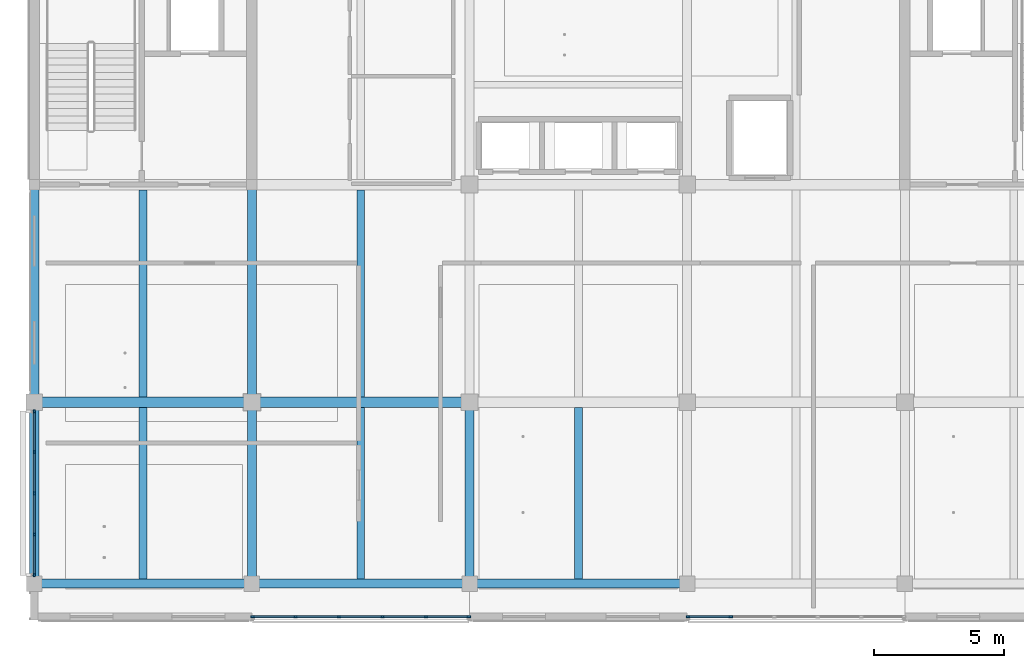
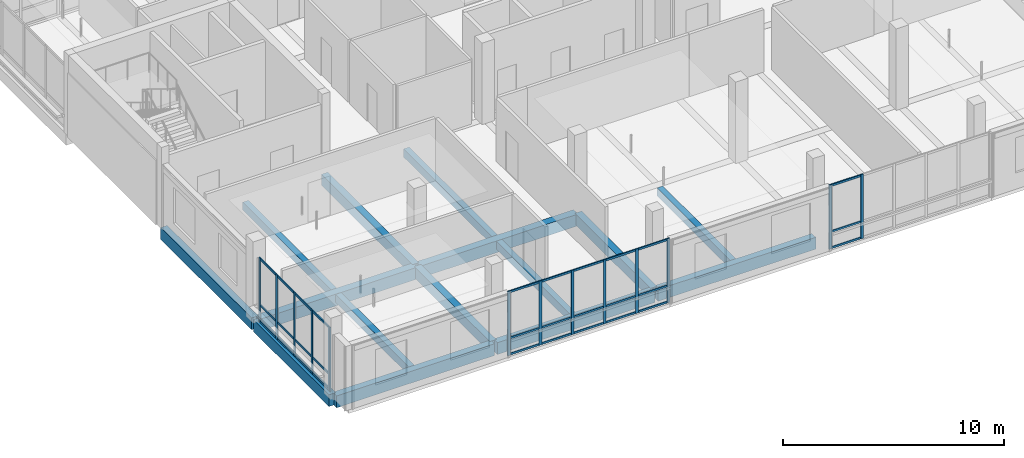
# One storey, part 2 of 30: 43 members, 15 beams, 3 elements without a shape of their own.
"""IFC4 building model written with IfcOpenShell, lengths in metres."""

from ifc_helpers import new_model, si_unit, direction, frame, origin, origin_2d, place, context, subcontext, project, spatial, rectangle, extrude, material, layer, layer_set, material_profile, profile_set, type_object, element, aggregate, save


model = new_model("IFC4")

# Units and contexts
model_context = context("Model", 3, precision=1e-05, world=origin(), true_north=direction((0.0, 1.0)))
body_context = subcontext(model_context, "Body", "Model", "MODEL_VIEW")
ifc_project = project(units=[si_unit("LENGTHUNIT", "METRE"), si_unit("AREAUNIT", "SQUARE_METRE"), si_unit("VOLUMEUNIT", "CUBIC_METRE"), si_unit("PLANEANGLEUNIT", "RADIAN"), si_unit("MASSUNIT", "GRAM", prefix="KILO")], contexts=[model_context])

# Site, building, storey
site_placement = place(None, origin())
site = spatial("IfcSite", under=ifc_project, at=site_placement, CompositionType="ELEMENT")
building_placement = place(site_placement, origin())
building = spatial("IfcBuilding", under=site, at=building_placement, Name="Telukmera Botanical Conservatory", CompositionType="ELEMENT")
storey_placement = place(building_placement, frame((0.0, 0.0, 60.0)))
storey = spatial("IfcBuildingStorey", under=building, at=storey_placement, Name="L13", CompositionType="ELEMENT", Elevation=60.0)

# Beams
ifc_material_1 = material(Name="Concrete C40/50", Category="concrete")
ifc_material_profile_1 = material_profile(ifc_material_1, rectangle(XDim=0.300048828125, YDim=0.449951171875, at=origin_2d()), Name="RC 300x450")
ifc_profile_set_1 = profile_set([ifc_material_profile_1], Name="Concrete C40/50")
beam_type_1 = type_object("IfcBeamType", Name="Beam_B25", PredefinedType="JOIST", material=ifc_profile_set_1)
beam_1_placement = place(storey_placement, frame((63.0, 10.77490234375, -0.22509765625), z_axis=(0.0, 1.0, 0.0), x_axis=(-1.0, 0.0, 0.0)))
element("IfcBeam", 1, at=beam_1_placement, inside=storey, type_object=beam_type_1, Name="Tower Secondary Floor Joist L13", PredefinedType="JOIST", context=body_context, shape_type="SweptSolid", body=[
    extrude(rectangle(XDim=0.300048828125, YDim=0.449951171875, at=origin_2d()), origin(), (0.0, 0.0, 1.0), 6.625),
])
beam_2_placement = place(storey_placement, frame((63.0, 17.800048828125, -0.22509765625), z_axis=(0.0, 1.0, 0.0), x_axis=(-1.0, 0.0, 0.0)))
element("IfcBeam", 2, at=beam_2_placement, inside=storey, type_object=beam_type_1, Name="Tower Secondary Floor Joist L13", PredefinedType="JOIST", context=body_context, shape_type="SweptSolid", body=[
    extrude(rectangle(XDim=0.300048828125, YDim=0.449951171875, at=origin_2d()), origin(), (0.0, 0.0, 1.0), 8.0),
])
beam_3_placement = place(storey_placement, frame((71.39990234375, 10.77490234375, -0.22509765625), z_axis=(0.0, 1.0, 0.0), x_axis=(-1.0, 0.0, 0.0)))
element("IfcBeam", 3, at=beam_3_placement, inside=storey, type_object=beam_type_1, Name="Tower Secondary Floor Joist L13", PredefinedType="JOIST", context=body_context, shape_type="SweptSolid", body=[
    extrude(rectangle(XDim=0.300048828125, YDim=0.449951171875, at=origin_2d()), origin(), (0.0, 0.0, 1.0), 6.625),
])
beam_4_placement = place(storey_placement, frame((71.39990234375, 17.800048828125, -0.22509765625), z_axis=(0.0, 1.0, 0.0), x_axis=(-1.0, 0.0, 0.0)))
element("IfcBeam", 4, at=beam_4_placement, inside=storey, type_object=beam_type_1, Name="Tower Secondary Floor Joist L13", PredefinedType="JOIST", context=body_context, shape_type="SweptSolid", body=[
    extrude(rectangle(XDim=0.300048828125, YDim=0.449951171875, at=origin_2d()), origin(), (0.0, 0.0, 1.0), 8.0),
])
beam_5_placement = place(storey_placement, frame((79.800048828125, 10.77490234375, -0.22509765625), z_axis=(0.0, 1.0, 0.0), x_axis=(-1.0, 0.0, 0.0)))
element("IfcBeam", 5, at=beam_5_placement, inside=storey, type_object=beam_type_1, Name="Tower Secondary Floor Joist L13", PredefinedType="JOIST", context=body_context, shape_type="SweptSolid", body=[
    extrude(rectangle(XDim=0.300048828125, YDim=0.449951171875, at=origin_2d()), origin(), (0.0, 0.0, 1.0), 6.625),
])
ifc_material_profile_2 = material_profile(ifc_material_1, rectangle(XDim=0.39990234375, YDim=0.64990234375, at=origin_2d()), Name="RC 400x650")
ifc_profile_set_2 = profile_set([ifc_material_profile_2], Name="Concrete C40/50")
beam_type_2 = type_object("IfcBeamType", Name="Beam_B8", PredefinedType="BEAM", material=ifc_profile_set_2)
beam_6_placement = place(storey_placement, frame((58.8798828125, 17.60009765625, -0.324951171875), z_axis=(1.0, 0.0, 0.0), x_axis=(0.0, 1.0, 0.0)))
element("IfcBeam", 6, at=beam_6_placement, inside=storey, type_object=beam_type_2, Name="Tower Grid Beam L13", PredefinedType="BEAM", context=body_context, shape_type="SweptSolid", body=[
    extrude(rectangle(XDim=0.39990234375, YDim=0.64990234375, at=origin_2d()), origin(), (0.0, 0.0, 1.0), 8.240234375),
])
beam_7_placement = place(storey_placement, frame((67.280029296875, 17.60009765625, -0.324951171875), z_axis=(1.0, 0.0, 0.0), x_axis=(0.0, 1.0, 0.0)))
element("IfcBeam", 7, at=beam_7_placement, inside=storey, type_object=beam_type_2, Name="Tower Grid Beam L13", PredefinedType="BEAM", context=body_context, shape_type="SweptSolid", body=[
    extrude(rectangle(XDim=0.39990234375, YDim=0.64990234375, at=origin_2d()), origin(), (0.0, 0.0, 1.0), 8.239990234375),
])
ifc_material_profile_3 = material_profile(ifc_material_1, rectangle(XDim=0.35009765625, YDim=0.60009765625, at=origin_2d()), Name="RC 350x600")
ifc_profile_set_3 = profile_set([ifc_material_profile_3], Name="Concrete C40/50")
beam_type_3 = type_object("IfcBeamType", Name="Beam_B9", PredefinedType="BEAM", material=ifc_profile_set_3)
beam_8_placement = place(storey_placement, frame((67.199951171875, 10.679931640625, -0.300048828125), z_axis=(0.0, 1.0, 0.0), x_axis=(-1.0, 0.0, 0.0)))
element("IfcBeam", 8, at=beam_8_placement, inside=storey, type_object=beam_type_3, Name="Tower Transverse Beam L13", PredefinedType="BEAM", context=body_context, shape_type="SweptSolid", body=[
    extrude(rectangle(XDim=0.35009765625, YDim=0.60009765625, at=origin_2d()), origin(), (0.0, 0.0, 1.0), 6.840087890625),
])
beam_9_placement = place(storey_placement, frame((67.199951171875, 17.679931640625, -0.300048828125), z_axis=(0.0, 1.0, 0.0), x_axis=(-1.0, 0.0, 0.0)))
element("IfcBeam", 9, at=beam_9_placement, inside=storey, type_object=beam_type_3, Name="Tower Transverse Beam L13", PredefinedType="BEAM", context=body_context, shape_type="SweptSolid", body=[
    extrude(rectangle(XDim=0.35009765625, YDim=0.60009765625, at=origin_2d()), origin(), (0.0, 0.0, 1.0), 8.239990234375),
])
beam_10_placement = place(storey_placement, frame((75.60009765625, 10.679931640625, -0.300048828125), z_axis=(0.0, 1.0, 0.0), x_axis=(-1.0, 0.0, 0.0)))
element("IfcBeam", 10, at=beam_10_placement, inside=storey, type_object=beam_type_3, Name="Tower Transverse Beam L13", PredefinedType="BEAM", context=body_context, shape_type="SweptSolid", body=[
    extrude(rectangle(XDim=0.35009765625, YDim=0.60009765625, at=origin_2d()), origin(), (0.0, 0.0, 1.0), 6.840087890625),
])
ifc_material_2 = material(Name="Precast concrete C40/50", Category="concrete")
ifc_material_profile_4 = material_profile(ifc_material_2, rectangle(XDim=0.35009765625, YDim=0.64990234375, at=origin_2d()), Name="PC 350x650")
ifc_profile_set_4 = profile_set([ifc_material_profile_4], Name="Precast concrete C40/50")
beam_type_4 = type_object("IfcBeamType", Name="Beam_SP3", PredefinedType="SPANDREL", material=ifc_profile_set_4)
beam_11_placement = place(storey_placement, frame((58.8798828125, 10.60009765625, -0.324951171875), z_axis=(1.0, 0.0, 0.0), x_axis=(0.0, 1.0, 0.0)))
element("IfcBeam", 11, at=beam_11_placement, inside=storey, type_object=beam_type_4, Name="Tower Grid Beam L13", PredefinedType="SPANDREL", context=body_context, shape_type="SweptSolid", body=[
    extrude(rectangle(XDim=0.35009765625, YDim=0.64990234375, at=origin_2d()), origin(), (0.0, 0.0, 1.0), 8.240234375),
])
for number, where, z_axis, x_axis, name in (
    (12, (67.280029296875, 10.60009765625, -0.324951171875), (1.0, 0.0, 0.0), (0.0, 1.0, 0.0), "Tower Grid Beam L13"),
    (13, (75.679931640625, 10.60009765625, -0.324951171875), (1.0, 0.0, 0.0), (0.0, 1.0, 0.0), "Tower Grid Beam L13"),
):
    element("IfcBeam", number, at=place(storey_placement, frame(where, z_axis=z_axis, x_axis=x_axis)), inside=storey, type_object=beam_type_4, Name=name, PredefinedType="SPANDREL", context=body_context, shape_type="SweptSolid", body=[
        extrude(rectangle(XDim=0.35009765625, YDim=0.64990234375, at=origin_2d()), origin(), (0.0, 0.0, 1.0), 8.239990234375),
    ])
beam_12_placement = place(storey_placement, frame((58.800048828125, 10.679931640625, -0.324951171875), z_axis=(0.0, 1.0, 0.0), x_axis=(-1.0, 0.0, 0.0)))
element("IfcBeam", 14, at=beam_12_placement, inside=storey, type_object=beam_type_4, Name="Tower Transverse Beam L13", PredefinedType="SPANDREL", context=body_context, shape_type="SweptSolid", body=[
    extrude(rectangle(XDim=0.35009765625, YDim=0.64990234375, at=origin_2d()), origin(), (0.0, 0.0, 1.0), 6.840087890625),
])
beam_13_placement = place(storey_placement, frame((58.800048828125, 17.679931640625, -0.324951171875), z_axis=(0.0, 1.0, 0.0), x_axis=(-1.0, 0.0, 0.0)))
element("IfcBeam", 15, at=beam_13_placement, inside=storey, type_object=beam_type_4, Name="Tower Transverse Beam L13", PredefinedType="SPANDREL", context=body_context, shape_type="SweptSolid", body=[
    extrude(rectangle(XDim=0.35009765625, YDim=0.64990234375, at=origin_2d()), origin(), (0.0, 0.0, 1.0), 8.239990234375),
])

# Curtain wall, members
ifc_material_3 = material(Name="Anodised aluminium 6063-T6", Category="aluminium")
ifc_layer = layer(ifc_material_3, 0.179931640625)
ifc_layer_set = layer_set([ifc_layer], Name="Anodised aluminium 6063-T6")
curtain_wall_type = type_object("IfcCurtainWallType", Name="Tower Research Laboratory Unitised Curtain Wall", PredefinedType="USERDEFINED", material=ifc_layer_set)
curtain_wall_1_placement = place(storey_placement, origin())
curtain_wall_1 = element("IfcCurtainWall", 16, at=curtain_wall_1_placement, inside=storey, type_object=curtain_wall_type, Name="Unitised Curtain Wall CW15 V4:L13:S2", ObjectType="UNITISED CURTAIN WALL", PredefinedType="USERDEFINED")
ifc_material_profile_5 = material_profile(ifc_material_3, rectangle(XDim=0.06005859375, YDim=0.139892578125, at=origin_2d()), Name="ALU MULL 60x140")
ifc_profile_set_5 = profile_set([ifc_material_profile_5], Name="Anodised aluminium 6063-T6")
member_type_1 = type_object("IfcMemberType", Name="Curtain Wall Extruded Mullion 60x140", PredefinedType="MULLION", material=ifc_profile_set_5)
member_1_placement = place(storey_placement, frame((67.23193359375, 9.320068359375, 0.0), z_axis=(0.0, 0.0, 1.0), x_axis=(0.0, 1.0, 0.0)))
member_1 = element("IfcMember", 17, at=member_1_placement, type_object=member_type_1, Name="CW15 mullion 1", PredefinedType="MULLION", context=body_context, shape_type="SweptSolid", body=[
    extrude(rectangle(XDim=0.06005859375, YDim=0.139892578125, at=origin_2d()), origin(), (0.0, 0.0, 1.0), 3.550048828125),
])
member_2_placement = place(storey_placement, frame((68.881103515625, 9.320068359375, 0.0), z_axis=(0.0, 0.0, 1.0), x_axis=(0.0, 1.0, 0.0)))
member_2 = element("IfcMember", 18, at=member_2_placement, type_object=member_type_1, Name="CW15 mullion 2", PredefinedType="MULLION", context=body_context, shape_type="SweptSolid", body=[
    extrude(rectangle(XDim=0.06005859375, YDim=0.139892578125, at=origin_2d()), origin(), (0.0, 0.0, 1.0), 3.550048828125),
])
member_3_placement = place(storey_placement, frame((70.560302734375, 9.320068359375, 0.0), z_axis=(0.0, 0.0, 1.0), x_axis=(0.0, 1.0, 0.0)))
member_3 = element("IfcMember", 19, at=member_3_placement, type_object=member_type_1, Name="CW15 mullion 3", PredefinedType="MULLION", context=body_context, shape_type="SweptSolid", body=[
    extrude(rectangle(XDim=0.06005859375, YDim=0.139892578125, at=origin_2d()), origin(), (0.0, 0.0, 1.0), 3.550048828125),
])
member_4_placement = place(storey_placement, frame((72.239501953125, 9.320068359375, 0.0), z_axis=(0.0, 0.0, 1.0), x_axis=(0.0, 1.0, 0.0)))
member_4 = element("IfcMember", 20, at=member_4_placement, type_object=member_type_1, Name="CW15 mullion 4", PredefinedType="MULLION", context=body_context, shape_type="SweptSolid", body=[
    extrude(rectangle(XDim=0.06005859375, YDim=0.139892578125, at=origin_2d()), origin(), (0.0, 0.0, 1.0), 3.550048828125),
])
member_5_placement = place(storey_placement, frame((73.918701171875, 9.320068359375, 0.0), z_axis=(0.0, 0.0, 1.0), x_axis=(0.0, 1.0, 0.0)))
member_5 = element("IfcMember", 21, at=member_5_placement, type_object=member_type_1, Name="CW15 mullion 5", PredefinedType="MULLION", context=body_context, shape_type="SweptSolid", body=[
    extrude(rectangle(XDim=0.06005859375, YDim=0.139892578125, at=origin_2d()), origin(), (0.0, 0.0, 1.0), 3.550048828125),
])
member_6_placement = place(storey_placement, frame((75.568115234375, 9.320068359375, 0.0), z_axis=(0.0, 0.0, 1.0), x_axis=(0.0, 1.0, 0.0)))
member_6 = element("IfcMember", 22, at=member_6_placement, type_object=member_type_1, Name="CW15 mullion 6", PredefinedType="MULLION", context=body_context, shape_type="SweptSolid", body=[
    extrude(rectangle(XDim=0.06005859375, YDim=0.139892578125, at=origin_2d()), origin(), (0.0, 0.0, 1.0), 3.550048828125),
])

curtain_wall_2_placement = place(storey_placement, origin())
curtain_wall_2 = element("IfcCurtainWall", 23, at=curtain_wall_2_placement, inside=storey, type_object=curtain_wall_type, Name="Unitised Curtain Wall CW15 V4:L13:S4", ObjectType="UNITISED CURTAIN WALL", PredefinedType="USERDEFINED")
member_7_placement = place(storey_placement, frame((84.031982421875, 9.320068359375, 0.0), z_axis=(0.0, 0.0, 1.0), x_axis=(0.0, 1.0, 0.0)))
member_7 = element("IfcMember", 24, at=member_7_placement, type_object=member_type_1, Name="CW15 mullion 1", PredefinedType="MULLION", context=body_context, shape_type="SweptSolid", body=[
    extrude(rectangle(XDim=0.06005859375, YDim=0.139892578125, at=origin_2d()), origin(), (0.0, 0.0, 1.0), 3.550048828125),
])
member_8_placement = place(storey_placement, frame((85.68115234375, 9.320068359375, 0.0), z_axis=(0.0, 0.0, 1.0), x_axis=(0.0, 1.0, 0.0)))
member_8 = element("IfcMember", 25, at=member_8_placement, type_object=member_type_1, Name="CW15 mullion 2", PredefinedType="MULLION", context=body_context, shape_type="SweptSolid", body=[
    extrude(rectangle(XDim=0.06005859375, YDim=0.139892578125, at=origin_2d()), origin(), (0.0, 0.0, 1.0), 3.550048828125),
])

curtain_wall_3_placement = place(storey_placement, origin())
curtain_wall_3 = element("IfcCurtainWall", 26, at=curtain_wall_3_placement, inside=storey, type_object=curtain_wall_type, Name="Unitised Curtain Wall CW15 V4:L13:W1", ObjectType="UNITISED CURTAIN WALL", PredefinedType="USERDEFINED")
member_9_placement = place(storey_placement, frame((58.800048828125, 10.931884765625, 0.0), z_axis=(0.0, 0.0, 1.0), x_axis=(-1.0, 0.0, 0.0)))
member_9 = element("IfcMember", 27, at=member_9_placement, type_object=member_type_1, Name="CW15 mullion 1", PredefinedType="MULLION", context=body_context, shape_type="SweptSolid", body=[
    extrude(rectangle(XDim=0.06005859375, YDim=0.139892578125, at=origin_2d()), origin(), (0.0, 0.0, 1.0), 3.550048828125),
])
member_10_placement = place(storey_placement, frame((58.800048828125, 12.49462890625, 0.0), z_axis=(0.0, 0.0, 1.0), x_axis=(-1.0, 0.0, 0.0)))
member_10 = element("IfcMember", 28, at=member_10_placement, type_object=member_type_1, Name="CW15 mullion 2", PredefinedType="MULLION", context=body_context, shape_type="SweptSolid", body=[
    extrude(rectangle(XDim=0.06005859375, YDim=0.139892578125, at=origin_2d()), origin(), (0.0, 0.0, 1.0), 3.550048828125),
])
member_11_placement = place(storey_placement, frame((58.800048828125, 14.08740234375, 0.0), z_axis=(0.0, 0.0, 1.0), x_axis=(-1.0, 0.0, 0.0)))
member_11 = element("IfcMember", 29, at=member_11_placement, type_object=member_type_1, Name="CW15 mullion 3", PredefinedType="MULLION", context=body_context, shape_type="SweptSolid", body=[
    extrude(rectangle(XDim=0.06005859375, YDim=0.139892578125, at=origin_2d()), origin(), (0.0, 0.0, 1.0), 3.550048828125),
])
member_12_placement = place(storey_placement, frame((58.800048828125, 15.68017578125, 0.0), z_axis=(0.0, 0.0, 1.0), x_axis=(-1.0, 0.0, 0.0)))
member_12 = element("IfcMember", 30, at=member_12_placement, type_object=member_type_1, Name="CW15 mullion 4", PredefinedType="MULLION", context=body_context, shape_type="SweptSolid", body=[
    extrude(rectangle(XDim=0.06005859375, YDim=0.139892578125, at=origin_2d()), origin(), (0.0, 0.0, 1.0), 3.550048828125),
])
member_13_placement = place(storey_placement, frame((58.800048828125, 17.242919921875, 0.0), z_axis=(0.0, 0.0, 1.0), x_axis=(-1.0, 0.0, 0.0)))
member_13 = element("IfcMember", 31, at=member_13_placement, type_object=member_type_1, Name="CW15 mullion 5", PredefinedType="MULLION", context=body_context, shape_type="SweptSolid", body=[
    extrude(rectangle(XDim=0.06005859375, YDim=0.139892578125, at=origin_2d()), origin(), (0.0, 0.0, 1.0), 3.550048828125),
])

# Member
ifc_material_profile_6 = material_profile(ifc_material_3, rectangle(XDim=0.06005859375, YDim=0.110107421875, at=origin_2d()), Name="ALU TRAN 60x110")
ifc_profile_set_6 = profile_set([ifc_material_profile_6], Name="Anodised aluminium 6063-T6")
member_type_2 = type_object("IfcMemberType", Name="Curtain Wall Extruded Transom 60x110", PredefinedType="USERDEFINED", material=ifc_profile_set_6)
member_14_placement = place(storey_placement, frame((67.261962890625, 9.320068359375, 0.054931640625), z_axis=(1.0, 0.0, 0.0), x_axis=(0.0, 1.0, 0.0)))
member_14 = element("IfcMember", 32, at=member_14_placement, type_object=member_type_2, Name="CW15 transom 1.1", ObjectType="TRANSOM", PredefinedType="USERDEFINED", context=body_context, shape_type="SweptSolid", body=[
    extrude(rectangle(XDim=0.06005859375, YDim=0.110107421875, at=origin_2d()), origin(), (0.0, 0.0, 1.0), 1.58935546875),
])

member_15_placement = place(storey_placement, frame((67.261962890625, 9.320068359375, 0.949951171875), z_axis=(1.0, 0.0, 0.0), x_axis=(0.0, 1.0, 0.0)))
member_15 = element("IfcMember", 33, at=member_15_placement, type_object=member_type_2, Name="CW15 transom 1.2", ObjectType="TRANSOM", PredefinedType="USERDEFINED", context=body_context, shape_type="SweptSolid", body=[
    extrude(rectangle(XDim=0.06005859375, YDim=0.110107421875, at=origin_2d()), origin(), (0.0, 0.0, 1.0), 1.58935546875),
])

member_16_placement = place(storey_placement, frame((67.261962890625, 9.320068359375, 3.4951171875), z_axis=(1.0, 0.0, 0.0), x_axis=(0.0, 1.0, 0.0)))
member_16 = element("IfcMember", 34, at=member_16_placement, type_object=member_type_2, Name="CW15 transom 1.3", ObjectType="TRANSOM", PredefinedType="USERDEFINED", context=body_context, shape_type="SweptSolid", body=[
    extrude(rectangle(XDim=0.06005859375, YDim=0.110107421875, at=origin_2d()), origin(), (0.0, 0.0, 1.0), 1.58935546875),
])

member_17_placement = place(storey_placement, frame((68.9111328125, 9.320068359375, 0.054931640625), z_axis=(1.0, 0.0, 0.0), x_axis=(0.0, 1.0, 0.0)))
member_17 = element("IfcMember", 35, at=member_17_placement, type_object=member_type_2, Name="CW15 transom 2.1", ObjectType="TRANSOM", PredefinedType="USERDEFINED", context=body_context, shape_type="SweptSolid", body=[
    extrude(rectangle(XDim=0.06005859375, YDim=0.110107421875, at=origin_2d()), origin(), (0.0, 0.0, 1.0), 1.619384765625),
])

member_18_placement = place(storey_placement, frame((68.9111328125, 9.320068359375, 0.949951171875), z_axis=(1.0, 0.0, 0.0), x_axis=(0.0, 1.0, 0.0)))
member_18 = element("IfcMember", 36, at=member_18_placement, type_object=member_type_2, Name="CW15 transom 2.2", ObjectType="TRANSOM", PredefinedType="USERDEFINED", context=body_context, shape_type="SweptSolid", body=[
    extrude(rectangle(XDim=0.06005859375, YDim=0.110107421875, at=origin_2d()), origin(), (0.0, 0.0, 1.0), 1.619384765625),
])

member_19_placement = place(storey_placement, frame((68.9111328125, 9.320068359375, 3.4951171875), z_axis=(1.0, 0.0, 0.0), x_axis=(0.0, 1.0, 0.0)))
member_19 = element("IfcMember", 37, at=member_19_placement, type_object=member_type_2, Name="CW15 transom 2.3", ObjectType="TRANSOM", PredefinedType="USERDEFINED", context=body_context, shape_type="SweptSolid", body=[
    extrude(rectangle(XDim=0.06005859375, YDim=0.110107421875, at=origin_2d()), origin(), (0.0, 0.0, 1.0), 1.619384765625),
])

member_20_placement = place(storey_placement, frame((70.59033203125, 9.320068359375, 0.054931640625), z_axis=(1.0, 0.0, 0.0), x_axis=(0.0, 1.0, 0.0)))
member_20 = element("IfcMember", 38, at=member_20_placement, type_object=member_type_2, Name="CW15 transom 3.1", ObjectType="TRANSOM", PredefinedType="USERDEFINED", context=body_context, shape_type="SweptSolid", body=[
    extrude(rectangle(XDim=0.06005859375, YDim=0.110107421875, at=origin_2d()), origin(), (0.0, 0.0, 1.0), 1.619384765625),
])

member_21_placement = place(storey_placement, frame((70.59033203125, 9.320068359375, 0.949951171875), z_axis=(1.0, 0.0, 0.0), x_axis=(0.0, 1.0, 0.0)))
member_21 = element("IfcMember", 39, at=member_21_placement, type_object=member_type_2, Name="CW15 transom 3.2", ObjectType="TRANSOM", PredefinedType="USERDEFINED", context=body_context, shape_type="SweptSolid", body=[
    extrude(rectangle(XDim=0.06005859375, YDim=0.110107421875, at=origin_2d()), origin(), (0.0, 0.0, 1.0), 1.619384765625),
])

member_22_placement = place(storey_placement, frame((70.59033203125, 9.320068359375, 3.4951171875), z_axis=(1.0, 0.0, 0.0), x_axis=(0.0, 1.0, 0.0)))
member_22 = element("IfcMember", 40, at=member_22_placement, type_object=member_type_2, Name="CW15 transom 3.3", ObjectType="TRANSOM", PredefinedType="USERDEFINED", context=body_context, shape_type="SweptSolid", body=[
    extrude(rectangle(XDim=0.06005859375, YDim=0.110107421875, at=origin_2d()), origin(), (0.0, 0.0, 1.0), 1.619384765625),
])

member_23_placement = place(storey_placement, frame((72.26953125, 9.320068359375, 0.054931640625), z_axis=(1.0, 0.0, 0.0), x_axis=(0.0, 1.0, 0.0)))
member_23 = element("IfcMember", 41, at=member_23_placement, type_object=member_type_2, Name="CW15 transom 4.1", ObjectType="TRANSOM", PredefinedType="USERDEFINED", context=body_context, shape_type="SweptSolid", body=[
    extrude(rectangle(XDim=0.06005859375, YDim=0.110107421875, at=origin_2d()), origin(), (0.0, 0.0, 1.0), 1.619384765625),
])

member_24_placement = place(storey_placement, frame((72.26953125, 9.320068359375, 0.949951171875), z_axis=(1.0, 0.0, 0.0), x_axis=(0.0, 1.0, 0.0)))
member_24 = element("IfcMember", 42, at=member_24_placement, type_object=member_type_2, Name="CW15 transom 4.2", ObjectType="TRANSOM", PredefinedType="USERDEFINED", context=body_context, shape_type="SweptSolid", body=[
    extrude(rectangle(XDim=0.06005859375, YDim=0.110107421875, at=origin_2d()), origin(), (0.0, 0.0, 1.0), 1.619384765625),
])

member_25_placement = place(storey_placement, frame((72.26953125, 9.320068359375, 3.4951171875), z_axis=(1.0, 0.0, 0.0), x_axis=(0.0, 1.0, 0.0)))
member_25 = element("IfcMember", 43, at=member_25_placement, type_object=member_type_2, Name="CW15 transom 4.3", ObjectType="TRANSOM", PredefinedType="USERDEFINED", context=body_context, shape_type="SweptSolid", body=[
    extrude(rectangle(XDim=0.06005859375, YDim=0.110107421875, at=origin_2d()), origin(), (0.0, 0.0, 1.0), 1.619384765625),
])

member_26_placement = place(storey_placement, frame((73.94873046875, 9.320068359375, 0.054931640625), z_axis=(1.0, 0.0, 0.0), x_axis=(0.0, 1.0, 0.0)))
member_26 = element("IfcMember", 44, at=member_26_placement, type_object=member_type_2, Name="CW15 transom 5.1", ObjectType="TRANSOM", PredefinedType="USERDEFINED", context=body_context, shape_type="SweptSolid", body=[
    extrude(rectangle(XDim=0.06005859375, YDim=0.110107421875, at=origin_2d()), origin(), (0.0, 0.0, 1.0), 1.58935546875),
])

member_27_placement = place(storey_placement, frame((73.94873046875, 9.320068359375, 0.949951171875), z_axis=(1.0, 0.0, 0.0), x_axis=(0.0, 1.0, 0.0)))
member_27 = element("IfcMember", 45, at=member_27_placement, type_object=member_type_2, Name="CW15 transom 5.2", ObjectType="TRANSOM", PredefinedType="USERDEFINED", context=body_context, shape_type="SweptSolid", body=[
    extrude(rectangle(XDim=0.06005859375, YDim=0.110107421875, at=origin_2d()), origin(), (0.0, 0.0, 1.0), 1.58935546875),
])

member_28_placement = place(storey_placement, frame((73.94873046875, 9.320068359375, 3.4951171875), z_axis=(1.0, 0.0, 0.0), x_axis=(0.0, 1.0, 0.0)))
member_28 = element("IfcMember", 46, at=member_28_placement, type_object=member_type_2, Name="CW15 transom 5.3", ObjectType="TRANSOM", PredefinedType="USERDEFINED", context=body_context, shape_type="SweptSolid", body=[
    extrude(rectangle(XDim=0.06005859375, YDim=0.110107421875, at=origin_2d()), origin(), (0.0, 0.0, 1.0), 1.58935546875),
])

aggregate(curtain_wall_1, [member_1, member_2, member_3, member_4, member_5, member_6, member_14, member_15, member_16, member_17, member_18, member_19, member_20, member_21, member_22, member_23, member_24, member_25, member_26, member_27, member_28])

member_29_placement = place(storey_placement, frame((84.06201171875, 9.320068359375, 0.054931640625), z_axis=(1.0, 0.0, 0.0), x_axis=(0.0, 1.0, 0.0)))
member_29 = element("IfcMember", 47, at=member_29_placement, type_object=member_type_2, Name="CW15 transom 1.1", ObjectType="TRANSOM", PredefinedType="USERDEFINED", context=body_context, shape_type="SweptSolid", body=[
    extrude(rectangle(XDim=0.06005859375, YDim=0.110107421875, at=origin_2d()), origin(), (0.0, 0.0, 1.0), 1.589111328125),
])

member_30_placement = place(storey_placement, frame((84.06201171875, 9.320068359375, 0.949951171875), z_axis=(1.0, 0.0, 0.0), x_axis=(0.0, 1.0, 0.0)))
member_30 = element("IfcMember", 48, at=member_30_placement, type_object=member_type_2, Name="CW15 transom 1.2", ObjectType="TRANSOM", PredefinedType="USERDEFINED", context=body_context, shape_type="SweptSolid", body=[
    extrude(rectangle(XDim=0.06005859375, YDim=0.110107421875, at=origin_2d()), origin(), (0.0, 0.0, 1.0), 1.589111328125),
])

member_31_placement = place(storey_placement, frame((84.06201171875, 9.320068359375, 3.4951171875), z_axis=(1.0, 0.0, 0.0), x_axis=(0.0, 1.0, 0.0)))
member_31 = element("IfcMember", 49, at=member_31_placement, type_object=member_type_2, Name="CW15 transom 1.3", ObjectType="TRANSOM", PredefinedType="USERDEFINED", context=body_context, shape_type="SweptSolid", body=[
    extrude(rectangle(XDim=0.06005859375, YDim=0.110107421875, at=origin_2d()), origin(), (0.0, 0.0, 1.0), 1.589111328125),
])

aggregate(curtain_wall_2, [member_7, member_8, member_29, member_30, member_31])

member_32_placement = place(storey_placement, frame((58.800048828125, 10.9619140625, 0.054931640625), z_axis=(0.0, 1.0, 0.0), x_axis=(-1.0, 0.0, 0.0)))
member_32 = element("IfcMember", 50, at=member_32_placement, type_object=member_type_2, Name="CW15 transom 1.1", ObjectType="TRANSOM", PredefinedType="USERDEFINED", context=body_context, shape_type="SweptSolid", body=[
    extrude(rectangle(XDim=0.06005859375, YDim=0.110107421875, at=origin_2d()), origin(), (0.0, 0.0, 1.0), 1.5029296875),
])

member_33_placement = place(storey_placement, frame((58.800048828125, 10.9619140625, 0.949951171875), z_axis=(0.0, 1.0, 0.0), x_axis=(-1.0, 0.0, 0.0)))
member_33 = element("IfcMember", 51, at=member_33_placement, type_object=member_type_2, Name="CW15 transom 1.2", ObjectType="TRANSOM", PredefinedType="USERDEFINED", context=body_context, shape_type="SweptSolid", body=[
    extrude(rectangle(XDim=0.06005859375, YDim=0.110107421875, at=origin_2d()), origin(), (0.0, 0.0, 1.0), 1.5029296875),
])

member_34_placement = place(storey_placement, frame((58.800048828125, 10.9619140625, 3.4951171875), z_axis=(0.0, 1.0, 0.0), x_axis=(-1.0, 0.0, 0.0)))
member_34 = element("IfcMember", 52, at=member_34_placement, type_object=member_type_2, Name="CW15 transom 1.3", ObjectType="TRANSOM", PredefinedType="USERDEFINED", context=body_context, shape_type="SweptSolid", body=[
    extrude(rectangle(XDim=0.06005859375, YDim=0.110107421875, at=origin_2d()), origin(), (0.0, 0.0, 1.0), 1.5029296875),
])

member_35_placement = place(storey_placement, frame((58.800048828125, 12.524658203125, 0.054931640625), z_axis=(0.0, 1.0, 0.0), x_axis=(-1.0, 0.0, 0.0)))
member_35 = element("IfcMember", 53, at=member_35_placement, type_object=member_type_2, Name="CW15 transom 2.1", ObjectType="TRANSOM", PredefinedType="USERDEFINED", context=body_context, shape_type="SweptSolid", body=[
    extrude(rectangle(XDim=0.06005859375, YDim=0.110107421875, at=origin_2d()), origin(), (0.0, 0.0, 1.0), 1.532958984375),
])

member_36_placement = place(storey_placement, frame((58.800048828125, 12.524658203125, 0.949951171875), z_axis=(0.0, 1.0, 0.0), x_axis=(-1.0, 0.0, 0.0)))
member_36 = element("IfcMember", 54, at=member_36_placement, type_object=member_type_2, Name="CW15 transom 2.2", ObjectType="TRANSOM", PredefinedType="USERDEFINED", context=body_context, shape_type="SweptSolid", body=[
    extrude(rectangle(XDim=0.06005859375, YDim=0.110107421875, at=origin_2d()), origin(), (0.0, 0.0, 1.0), 1.532958984375),
])

member_37_placement = place(storey_placement, frame((58.800048828125, 12.524658203125, 3.4951171875), z_axis=(0.0, 1.0, 0.0), x_axis=(-1.0, 0.0, 0.0)))
member_37 = element("IfcMember", 55, at=member_37_placement, type_object=member_type_2, Name="CW15 transom 2.3", ObjectType="TRANSOM", PredefinedType="USERDEFINED", context=body_context, shape_type="SweptSolid", body=[
    extrude(rectangle(XDim=0.06005859375, YDim=0.110107421875, at=origin_2d()), origin(), (0.0, 0.0, 1.0), 1.532958984375),
])

member_38_placement = place(storey_placement, frame((58.800048828125, 14.117431640625, 0.054931640625), z_axis=(0.0, 1.0, 0.0), x_axis=(-1.0, 0.0, 0.0)))
member_38 = element("IfcMember", 56, at=member_38_placement, type_object=member_type_2, Name="CW15 transom 3.1", ObjectType="TRANSOM", PredefinedType="USERDEFINED", context=body_context, shape_type="SweptSolid", body=[
    extrude(rectangle(XDim=0.06005859375, YDim=0.110107421875, at=origin_2d()), origin(), (0.0, 0.0, 1.0), 1.53271484375),
])

member_39_placement = place(storey_placement, frame((58.800048828125, 14.117431640625, 0.949951171875), z_axis=(0.0, 1.0, 0.0), x_axis=(-1.0, 0.0, 0.0)))
member_39 = element("IfcMember", 57, at=member_39_placement, type_object=member_type_2, Name="CW15 transom 3.2", ObjectType="TRANSOM", PredefinedType="USERDEFINED", context=body_context, shape_type="SweptSolid", body=[
    extrude(rectangle(XDim=0.06005859375, YDim=0.110107421875, at=origin_2d()), origin(), (0.0, 0.0, 1.0), 1.53271484375),
])

member_40_placement = place(storey_placement, frame((58.800048828125, 14.117431640625, 3.4951171875), z_axis=(0.0, 1.0, 0.0), x_axis=(-1.0, 0.0, 0.0)))
member_40 = element("IfcMember", 58, at=member_40_placement, type_object=member_type_2, Name="CW15 transom 3.3", ObjectType="TRANSOM", PredefinedType="USERDEFINED", context=body_context, shape_type="SweptSolid", body=[
    extrude(rectangle(XDim=0.06005859375, YDim=0.110107421875, at=origin_2d()), origin(), (0.0, 0.0, 1.0), 1.53271484375),
])

member_41_placement = place(storey_placement, frame((58.800048828125, 15.710205078125, 0.054931640625), z_axis=(0.0, 1.0, 0.0), x_axis=(-1.0, 0.0, 0.0)))
member_41 = element("IfcMember", 59, at=member_41_placement, type_object=member_type_2, Name="CW15 transom 4.1", ObjectType="TRANSOM", PredefinedType="USERDEFINED", context=body_context, shape_type="SweptSolid", body=[
    extrude(rectangle(XDim=0.06005859375, YDim=0.110107421875, at=origin_2d()), origin(), (0.0, 0.0, 1.0), 1.502685546875),
])

member_42_placement = place(storey_placement, frame((58.800048828125, 15.710205078125, 0.949951171875), z_axis=(0.0, 1.0, 0.0), x_axis=(-1.0, 0.0, 0.0)))
member_42 = element("IfcMember", 60, at=member_42_placement, type_object=member_type_2, Name="CW15 transom 4.2", ObjectType="TRANSOM", PredefinedType="USERDEFINED", context=body_context, shape_type="SweptSolid", body=[
    extrude(rectangle(XDim=0.06005859375, YDim=0.110107421875, at=origin_2d()), origin(), (0.0, 0.0, 1.0), 1.502685546875),
])

member_43_placement = place(storey_placement, frame((58.800048828125, 15.710205078125, 3.4951171875), z_axis=(0.0, 1.0, 0.0), x_axis=(-1.0, 0.0, 0.0)))
member_43 = element("IfcMember", 61, at=member_43_placement, type_object=member_type_2, Name="CW15 transom 4.3", ObjectType="TRANSOM", PredefinedType="USERDEFINED", context=body_context, shape_type="SweptSolid", body=[
    extrude(rectangle(XDim=0.06005859375, YDim=0.110107421875, at=origin_2d()), origin(), (0.0, 0.0, 1.0), 1.502685546875),
])

aggregate(curtain_wall_3, [member_9, member_10, member_11, member_12, member_13, member_32, member_33, member_34, member_35, member_36, member_37, member_38, member_39, member_40, member_41, member_42, member_43])

save(model, "model.ifc")
